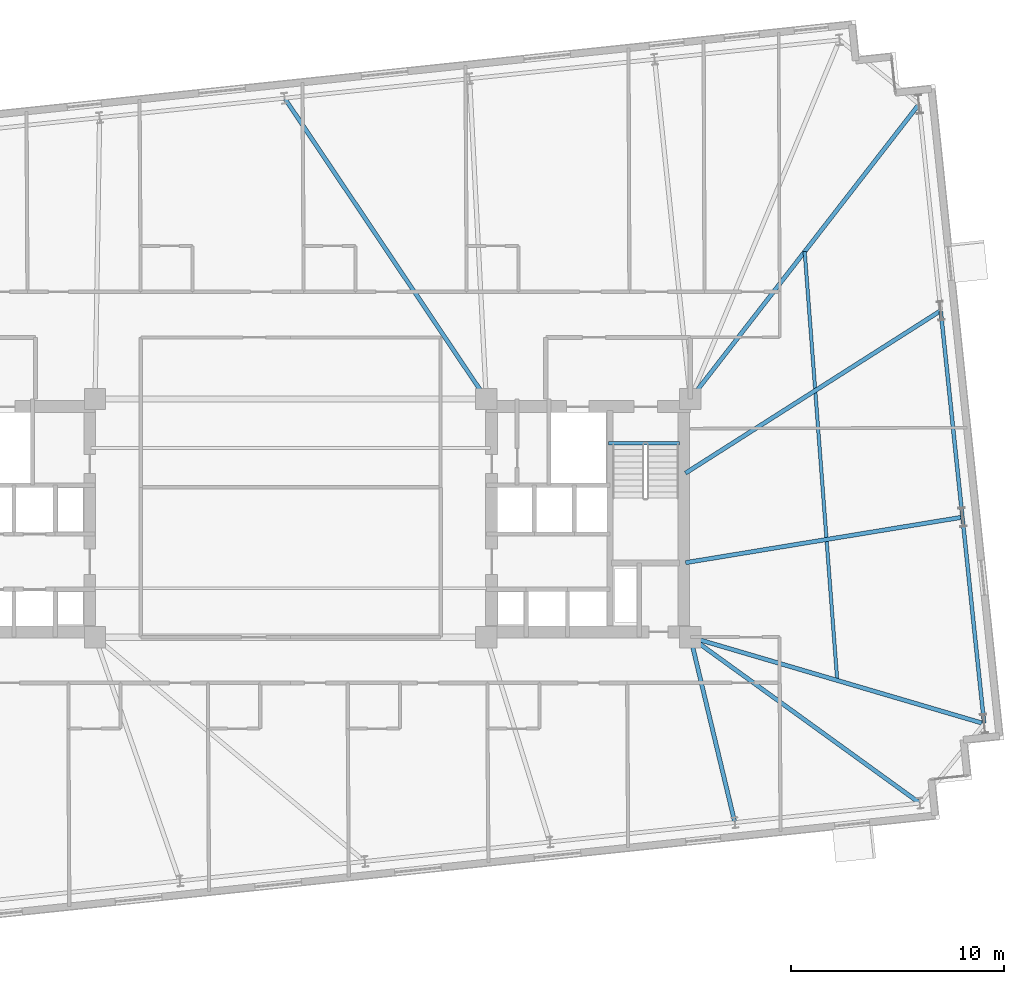
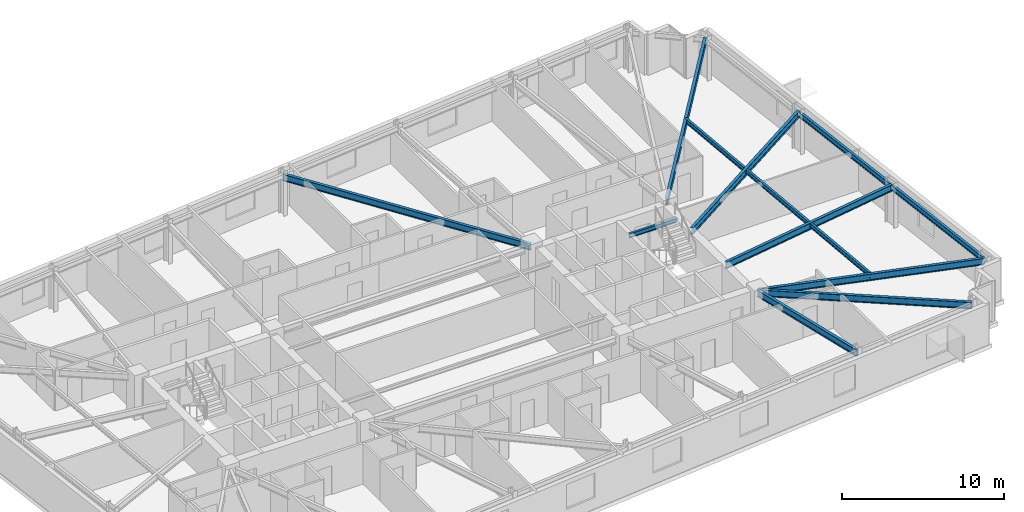
# One storey, part 7 of 18: 11 beams.
"""IFC4 building model written with IfcOpenShell, lengths in metres."""

from ifc_helpers import new_model, si_unit, direction, frame, origin, origin_2d, place, context, subcontext, project, spatial, i_section, extrude, material, material_profile, profile_set, type_object, element, save


model = new_model("IFC4")

# Units and contexts
model_context = context("Model", 3, precision=1e-05, world=origin(), true_north=direction((0.0, 1.0)))
body_context = subcontext(model_context, "Body", "Model", "MODEL_VIEW")
ifc_project = project(units=[si_unit("LENGTHUNIT", "METRE"), si_unit("AREAUNIT", "SQUARE_METRE"), si_unit("VOLUMEUNIT", "CUBIC_METRE"), si_unit("PLANEANGLEUNIT", "RADIAN"), si_unit("MASSUNIT", "GRAM", prefix="KILO")], contexts=[model_context])

# Site, building, storey
site_placement = place(None, origin())
site = spatial("IfcSite", under=ifc_project, at=site_placement, CompositionType="ELEMENT")
building_placement = place(site_placement, origin())
building = spatial("IfcBuilding", under=site, at=building_placement, Name="Qobustan Lattice House", CompositionType="ELEMENT")
storey_placement = place(building_placement, frame((0.0, 0.0, 119.199951171875)))
storey = spatial("IfcBuildingStorey", under=building, at=storey_placement, Name="L33", CompositionType="ELEMENT", Elevation=119.199951171875)

# Beams
ifc_material_1 = material(Name="Steel S355", Category="steel")
ifc_material_profile_1 = material_profile(ifc_material_1, i_section(OverallWidth=0.199951171875, OverallDepth=0.5, WebThickness=0.01025390625, FlangeThickness=0.01611328125, FilletRadius=0.02099609375, at=origin_2d()), Name="IPE500")
ifc_profile_set_1 = profile_set([ifc_material_profile_1], Name="Steel S355")
beam_type_1 = type_object("IfcBeamType", Name="BM-FLG-IPE500", PredefinedType="USERDEFINED", material=ifc_profile_set_1)
beam_1_placement = place(storey_placement, frame((20.885009765625, -14.297607421875, 2.795166015625), z_axis=(-0.233107910855, 0.97245087377, 0.0), x_axis=(-0.97245087377, -0.233107910855, 0.0)))
element("IfcBeam", 1, at=beam_1_placement, inside=storey, type_object=beam_type_1, Name="L33 primary floor girder RAD-S6", ObjectType="GIRDER", PredefinedType="USERDEFINED", context=body_context, shape_type="SweptSolid", body=[
    extrude(i_section(OverallWidth=0.199951171875, OverallDepth=0.5, WebThickness=0.01025390625, FlangeThickness=0.01611328125, FilletRadius=0.02099609375, at=origin_2d()), origin(), (0.0, 0.0, 1.0), 8.9189453125),
])
beam_2_placement = place(storey_placement, frame((29.572509765625, -13.392578125, 2.795166015625), z_axis=(-0.81023705091, 0.586102313024, 0.0), x_axis=(-0.586102313024, -0.81023705091, 0.0)))
element("IfcBeam", 2, at=beam_2_placement, inside=storey, type_object=beam_type_1, Name="L33 primary floor girder RAD-S7E", ObjectType="GIRDER", PredefinedType="USERDEFINED", context=body_context, shape_type="SweptSolid", body=[
    extrude(i_section(OverallWidth=0.199951171875, OverallDepth=0.5, WebThickness=0.01025390625, FlangeThickness=0.01611328125, FilletRadius=0.02099609375, at=origin_2d()), origin(), (0.0, 0.0, 1.0), 13.2705078125),
])
beam_3_placement = place(storey_placement, frame((-0.272705078125, 19.730224609375, 2.795166015625), z_axis=(0.556837669082, -0.830621339896, 0.0), x_axis=(0.830621339896, 0.556837669082, 0.0)))
element("IfcBeam", 3, at=beam_3_placement, inside=storey, type_object=beam_type_1, Name="L33 primary floor girder RAD-N4", ObjectType="GIRDER", PredefinedType="USERDEFINED", context=body_context, shape_type="SweptSolid", body=[
    extrude(i_section(OverallWidth=0.199951171875, OverallDepth=0.5, WebThickness=0.01025390625, FlangeThickness=0.01611328125, FilletRadius=0.02099609375, at=origin_2d()), origin(), (0.0, 0.0, 1.0), 16.986572265625),
])
beam_4_placement = place(storey_placement, frame((29.541015625, 19.44921875, 2.795166015625), z_axis=(-0.612860318028, -0.790191262029, 0.0), x_axis=(0.790191262029, -0.612860318028, 0.0)))
element("IfcBeam", 4, at=beam_4_placement, inside=storey, type_object=beam_type_1, Name="L33 primary floor girder RAD-E4", ObjectType="GIRDER", PredefinedType="USERDEFINED", context=body_context, shape_type="SweptSolid", body=[
    extrude(i_section(OverallWidth=0.199951171875, OverallDepth=0.5, WebThickness=0.01025390625, FlangeThickness=0.01611328125, FilletRadius=0.02099609375, at=origin_2d()), origin(), (0.0, 0.0, 1.0), 17.501220703125),
])
beam_5_placement = place(storey_placement, frame((30.555908203125, 9.742431640625, 2.795166015625), z_axis=(-0.843584351199, -0.536996687525, 0.0), x_axis=(0.536996687525, -0.843584351199, 0.0)))
element("IfcBeam", 5, at=beam_5_placement, inside=storey, type_object=beam_type_1, Name="L33 primary floor girder RAD-E3", ObjectType="GIRDER", PredefinedType="USERDEFINED", context=body_context, shape_type="SweptSolid", body=[
    extrude(i_section(OverallWidth=0.199951171875, OverallDepth=0.5, WebThickness=0.01025390625, FlangeThickness=0.01611328125, FilletRadius=0.02099609375, at=origin_2d()), origin(), (0.0, 0.0, 1.0), 14.20703125),
])
beam_6_placement = place(storey_placement, frame((31.5732421875, 0.03857421875, 2.795166015625), z_axis=(-0.986783828506, -0.162042203761, 0.0), x_axis=(0.162042203761, -0.986783828506, 0.0)))
element("IfcBeam", 6, at=beam_6_placement, inside=storey, type_object=beam_type_1, Name="L33 primary floor girder RAD-E2", ObjectType="GIRDER", PredefinedType="USERDEFINED", context=body_context, shape_type="SweptSolid", body=[
    extrude(i_section(OverallWidth=0.199951171875, OverallDepth=0.5, WebThickness=0.01025390625, FlangeThickness=0.01611328125, FilletRadius=0.02099609375, at=origin_2d()), origin(), (0.0, 0.0, 1.0), 13.172607421875),
])
beam_7_placement = place(storey_placement, frame((32.594970703125, -9.663330078125, 2.795166015625), z_axis=(-0.959254941513, 0.282541956499, 0.0), x_axis=(-0.282541956499, -0.959254941513, 0.0)))
element("IfcBeam", 7, at=beam_7_placement, inside=storey, type_object=beam_type_1, Name="L33 primary floor girder RAD-E1", ObjectType="GIRDER", PredefinedType="USERDEFINED", context=body_context, shape_type="SweptSolid", body=[
    extrude(i_section(OverallWidth=0.199951171875, OverallDepth=0.5, WebThickness=0.01025390625, FlangeThickness=0.01611328125, FilletRadius=0.02099609375, at=origin_2d()), origin(), (0.0, 0.0, 1.0), 14.35595703125),
])
ifc_material_2 = material(Name="Steel S355", Category="steel")
ifc_material_profile_2 = material_profile(ifc_material_2, i_section(OverallWidth=0.159912109375, OverallDepth=0.330078125, WebThickness=0.007568359375, FlangeThickness=0.011474609375, FilletRadius=0.01806640625, at=origin_2d()), Name="IPE330")
ifc_profile_set_2 = profile_set([ifc_material_profile_2], Name="Steel S355")
beam_type_2 = type_object("IfcBeamType", Name="BM-SEC-IPE330", PredefinedType="BEAM", material=ifc_profile_set_2)
beam_8_placement = place(storey_placement, frame((24.177978515625, 12.534423828125, 2.880126953125), z_axis=(0.075712576466, -0.997129683524, 0.0), x_axis=(0.997129683524, 0.075712576466, 0.0)))
element("IfcBeam", 8, at=beam_8_placement, inside=storey, type_object=beam_type_2, Name="L33 east wing secondary beam", PredefinedType="BEAM", context=body_context, shape_type="SweptSolid", body=[
    extrude(i_section(OverallWidth=0.159912109375, OverallDepth=0.330078125, WebThickness=0.007568359375, FlangeThickness=0.011474609375, FilletRadius=0.01806640625, at=origin_2d()), origin(), (0.0, 0.0, 1.0), 20.227783203125),
])
ifc_material_3 = material(Name="Steel S355", Category="steel")
ifc_material_profile_3 = material_profile(ifc_material_3, i_section(OverallWidth=0.159912109375, OverallDepth=0.330078125, WebThickness=0.007568359375, FlangeThickness=0.011474609375, FilletRadius=0.01806640625, at=origin_2d()), Name="IPE330")
ifc_profile_set_3 = profile_set([ifc_material_profile_3], Name="Steel S355")
beam_type_3 = type_object("IfcBeamType", Name="BM-SPD-IPE330", PredefinedType="SPANDREL", material=ifc_profile_set_3)
beam_9_placement = place(storey_placement, frame((14.949951171875, 3.52001953125, 2.880126953125), z_axis=(1.0, 0.0, 0.0), x_axis=(0.0, 1.0, 0.0)))
element("IfcBeam", 9, at=beam_9_placement, inside=storey, type_object=beam_type_3, Name="L33 east stair landing trimmer beam", PredefinedType="SPANDREL", context=body_context, shape_type="SweptSolid", body=[
    extrude(i_section(OverallWidth=0.159912109375, OverallDepth=0.330078125, WebThickness=0.007568359375, FlangeThickness=0.011474609375, FilletRadius=0.01806640625, at=origin_2d()), origin(), (0.0, 0.0, 1.0), 3.35009765625),
])
ifc_material_4 = material(Name="Steel S355", Category="steel")
ifc_material_profile_4 = material_profile(ifc_material_4, i_section(OverallWidth=0.179931640625, OverallDepth=0.39990234375, WebThickness=0.008544921875, FlangeThickness=0.013427734375, FilletRadius=0.02099609375, at=origin_2d()), Name="IPE400")
ifc_profile_set_4 = profile_set([ifc_material_profile_4], Name="Steel S355")
beam_type_4 = type_object("IfcBeamType", Name="BM-SPD-IPE400", PredefinedType="SPANDREL", material=ifc_profile_set_4)
for number, where, z_axis, x_axis, name in (
    (10, (32.6162109375, -9.6455078125, 2.844970703125), (-0.104525214252, 0.994522236848, 0.0), (-0.994522236848, -0.104525214252, 0.0), "L33 perimeter spandrel E1-E2"),
    (11, (31.595458984375, 0.067626953125, 2.844970703125), (-0.10455006589, 0.994519624604, 0.0), (-0.994519624604, -0.10455006589, 0.0), "L33 perimeter spandrel E2-E3"),
):
    element("IfcBeam", number, at=place(storey_placement, frame(where, z_axis=z_axis, x_axis=x_axis)), inside=storey, type_object=beam_type_4, Name=name, PredefinedType="SPANDREL", context=body_context, shape_type="SweptSolid", body=[
        extrude(i_section(OverallWidth=0.179931640625, OverallDepth=0.39990234375, WebThickness=0.008544921875, FlangeThickness=0.013427734375, FilletRadius=0.02099609375, at=origin_2d()), origin(), (0.0, 0.0, 1.0), 9.716552734375),
    ])

save(model, "model.ifc")
